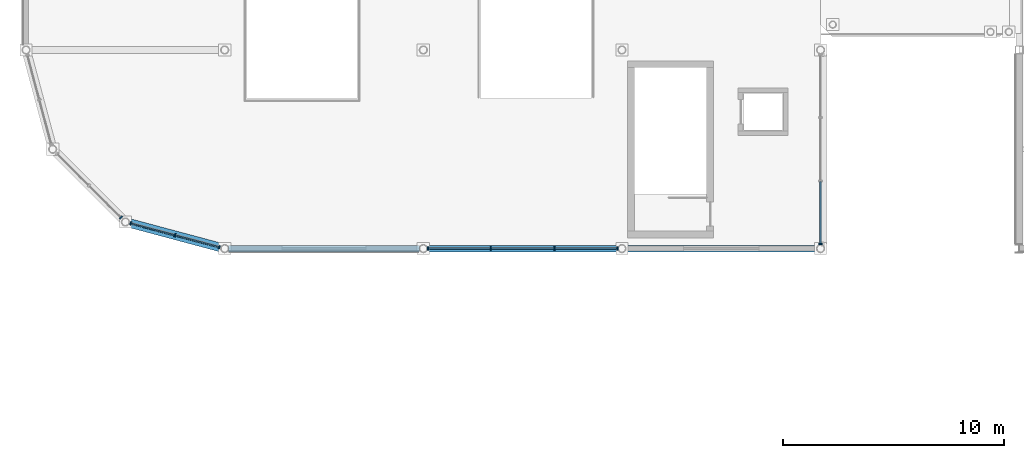
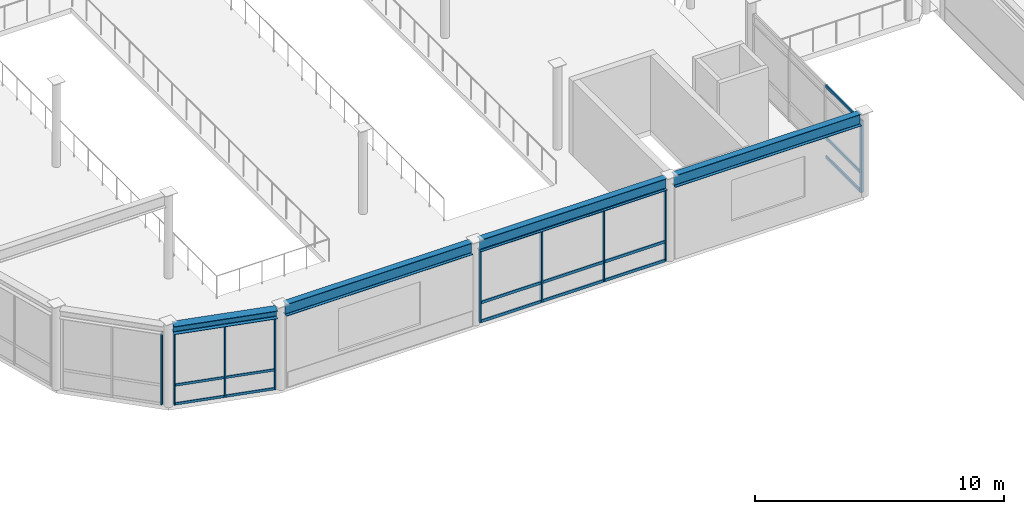
# One storey, part 15 of 53: 27 members, 4 beams, 4 elements without a shape of their own.
"""IFC4 building model written with IfcOpenShell, lengths in metres."""

from ifc_helpers import new_model, si_unit, direction, frame, origin, origin_2d, place, context, subcontext, project, spatial, rectangle, i_section, extrude, material, material_profile, profile_set, type_object, element, aggregate, save


model = new_model("IFC4")

# Units and contexts
model_context = context("Model", 3, precision=1e-05, world=origin(), true_north=direction((0.0, 1.0)))
body_context = subcontext(model_context, "Body", "Model", "MODEL_VIEW")
ifc_project = project(units=[si_unit("LENGTHUNIT", "METRE"), si_unit("AREAUNIT", "SQUARE_METRE"), si_unit("VOLUMEUNIT", "CUBIC_METRE"), si_unit("PLANEANGLEUNIT", "RADIAN"), si_unit("MASSUNIT", "GRAM", prefix="KILO")], contexts=[model_context])

# Site, building, storey
site_placement = place(None, origin())
site = spatial("IfcSite", under=ifc_project, at=site_placement, CompositionType="ELEMENT")
building_placement = place(site_placement, origin())
building = spatial("IfcBuilding", under=site, at=building_placement, Name="Suzunagisa Mobility Hub", CompositionType="ELEMENT")
storey_placement = place(building_placement, frame((0.0, 0.0, 17.699951171875)))
storey = spatial("IfcBuildingStorey", under=building, at=storey_placement, Name="L04", CompositionType="ELEMENT", Elevation=17.699951171875)

# Curtain wall, members
ifc_material_1 = material(Name="Thermally Broken Anodized Aluminum and Low-E Glazing", Category="aluminium")
curtain_wall_type_1 = type_object("IfcCurtainWallType", Name="Unitised Curtain Wall CW-15 8750x3500", PredefinedType="USERDEFINED", material=ifc_material_1)
curtain_wall_1_placement = place(storey_placement, origin())
curtain_wall_1 = element("IfcCurtainWall", 1, at=curtain_wall_1_placement, inside=storey, type_object=curtain_wall_type_1, Name="L04 Unitised Curtain Wall CW-83", ObjectType="UNITISED CURTAIN WALL", PredefinedType="USERDEFINED")
ifc_material_2 = material(Name="Anodized Aluminum 6063-T6", Category="aluminium")
ifc_material_profile_1 = material_profile(ifc_material_2, rectangle(XDim=0.06494140625, YDim=0.139892578125, at=origin_2d()), Name="TRAN-65x140")
ifc_profile_set_1 = profile_set([ifc_material_profile_1], Name="Anodized Aluminum 6063-T6")
member_type_1 = type_object("IfcMemberType", Name="Curtain Wall Framing CM-01 TRAN-65x140", PredefinedType="USERDEFINED", material=ifc_profile_set_1)
member_1_placement = place(storey_placement, frame((18.23583984375, 80.0, 0.032470703125), z_axis=(1.0, 0.0, 0.0), x_axis=(0.0, 1.0, 0.0)))
member_1 = element("IfcMember", 2, at=member_1_placement, type_object=member_type_1, Name="Curtain Wall Transom 83-T1.1", ObjectType="TRANSOM", PredefinedType="USERDEFINED", context=body_context, shape_type="SweptSolid", body=[
    extrude(rectangle(XDim=0.06494140625, YDim=0.139892578125, at=origin_2d()), origin(), (0.0, 0.0, 1.0), 2.79541015625),
])
member_2_placement = place(storey_placement, frame((18.23583984375, 80.0, 0.949951171875), z_axis=(1.0, 0.0, 0.0), x_axis=(0.0, 1.0, 0.0)))
member_2 = element("IfcMember", 3, at=member_2_placement, type_object=member_type_1, Name="Curtain Wall Transom 83-T1.2", ObjectType="TRANSOM", PredefinedType="USERDEFINED", context=body_context, shape_type="SweptSolid", body=[
    extrude(rectangle(XDim=0.06494140625, YDim=0.139892578125, at=origin_2d()), origin(), (0.0, 0.0, 1.0), 2.79541015625),
])
member_3_placement = place(storey_placement, frame((18.23583984375, 80.0, 3.49365234375), z_axis=(1.0, 0.0, 0.0), x_axis=(0.0, 1.0, 0.0)))
member_3 = element("IfcMember", 4, at=member_3_placement, type_object=member_type_1, Name="Curtain Wall Transom 83-T1.3", ObjectType="TRANSOM", PredefinedType="USERDEFINED", context=body_context, shape_type="SweptSolid", body=[
    extrude(rectangle(XDim=0.06494140625, YDim=0.139892578125, at=origin_2d()), origin(), (0.0, 0.0, 1.0), 2.79541015625),
])
member_4_placement = place(storey_placement, frame((21.08740234375, 80.0, 0.032470703125), z_axis=(1.0, 0.0, 0.0), x_axis=(0.0, 1.0, 0.0)))
member_4 = element("IfcMember", 5, at=member_4_placement, type_object=member_type_1, Name="Curtain Wall Transom 83-T2.1", ObjectType="TRANSOM", PredefinedType="USERDEFINED", context=body_context, shape_type="SweptSolid", body=[
    extrude(rectangle(XDim=0.06494140625, YDim=0.139892578125, at=origin_2d()), origin(), (0.0, 0.0, 1.0), 2.8251953125),
])
member_5_placement = place(storey_placement, frame((21.08740234375, 80.0, 0.949951171875), z_axis=(1.0, 0.0, 0.0), x_axis=(0.0, 1.0, 0.0)))
member_5 = element("IfcMember", 6, at=member_5_placement, type_object=member_type_1, Name="Curtain Wall Transom 83-T2.2", ObjectType="TRANSOM", PredefinedType="USERDEFINED", context=body_context, shape_type="SweptSolid", body=[
    extrude(rectangle(XDim=0.06494140625, YDim=0.139892578125, at=origin_2d()), origin(), (0.0, 0.0, 1.0), 2.8251953125),
])
member_6_placement = place(storey_placement, frame((21.08740234375, 80.0, 3.49365234375), z_axis=(1.0, 0.0, 0.0), x_axis=(0.0, 1.0, 0.0)))
member_6 = element("IfcMember", 7, at=member_6_placement, type_object=member_type_1, Name="Curtain Wall Transom 83-T2.3", ObjectType="TRANSOM", PredefinedType="USERDEFINED", context=body_context, shape_type="SweptSolid", body=[
    extrude(rectangle(XDim=0.06494140625, YDim=0.139892578125, at=origin_2d()), origin(), (0.0, 0.0, 1.0), 2.8251953125),
])
member_7_placement = place(storey_placement, frame((23.96875, 80.0, 0.032470703125), z_axis=(1.0, 0.0, 0.0), x_axis=(0.0, 1.0, 0.0)))
member_7 = element("IfcMember", 8, at=member_7_placement, type_object=member_type_1, Name="Curtain Wall Transom 83-T3.1", ObjectType="TRANSOM", PredefinedType="USERDEFINED", context=body_context, shape_type="SweptSolid", body=[
    extrude(rectangle(XDim=0.06494140625, YDim=0.139892578125, at=origin_2d()), origin(), (0.0, 0.0, 1.0), 2.79541015625),
])
member_8_placement = place(storey_placement, frame((23.96875, 80.0, 0.949951171875), z_axis=(1.0, 0.0, 0.0), x_axis=(0.0, 1.0, 0.0)))
member_8 = element("IfcMember", 9, at=member_8_placement, type_object=member_type_1, Name="Curtain Wall Transom 83-T3.2", ObjectType="TRANSOM", PredefinedType="USERDEFINED", context=body_context, shape_type="SweptSolid", body=[
    extrude(rectangle(XDim=0.06494140625, YDim=0.139892578125, at=origin_2d()), origin(), (0.0, 0.0, 1.0), 2.79541015625),
])
member_9_placement = place(storey_placement, frame((23.96875, 80.0, 3.49365234375), z_axis=(1.0, 0.0, 0.0), x_axis=(0.0, 1.0, 0.0)))
member_9 = element("IfcMember", 10, at=member_9_placement, type_object=member_type_1, Name="Curtain Wall Transom 83-T3.3", ObjectType="TRANSOM", PredefinedType="USERDEFINED", context=body_context, shape_type="SweptSolid", body=[
    extrude(rectangle(XDim=0.06494140625, YDim=0.139892578125, at=origin_2d()), origin(), (0.0, 0.0, 1.0), 2.79541015625),
])

curtain_wall_2_placement = place(storey_placement, origin())
curtain_wall_2 = element("IfcCurtainWall", 11, at=curtain_wall_2_placement, inside=storey, type_object=curtain_wall_type_1, Name="L04 Unitised Curtain Wall CW-84", ObjectType="UNITISED CURTAIN WALL", PredefinedType="USERDEFINED")
member_10_placement = place(storey_placement, frame((36.0, 80.23583984375, 0.032470703125), z_axis=(0.0, 1.0, 0.0), x_axis=(-1.0, 0.0, 0.0)))
member_10 = element("IfcMember", 12, at=member_10_placement, type_object=member_type_1, Name="Curtain Wall Transom 84-T1.1", ObjectType="TRANSOM", PredefinedType="USERDEFINED", context=body_context, shape_type="SweptSolid", body=[
    extrude(rectangle(XDim=0.06494140625, YDim=0.139892578125, at=origin_2d()), origin(), (0.0, 0.0, 1.0), 2.79541015625),
])
member_11_placement = place(storey_placement, frame((36.0, 80.23583984375, 0.949951171875), z_axis=(0.0, 1.0, 0.0), x_axis=(-1.0, 0.0, 0.0)))
member_11 = element("IfcMember", 13, at=member_11_placement, type_object=member_type_1, Name="Curtain Wall Transom 84-T1.2", ObjectType="TRANSOM", PredefinedType="USERDEFINED", context=body_context, shape_type="SweptSolid", body=[
    extrude(rectangle(XDim=0.06494140625, YDim=0.139892578125, at=origin_2d()), origin(), (0.0, 0.0, 1.0), 2.79541015625),
])
member_12_placement = place(storey_placement, frame((36.0, 80.23583984375, 3.49365234375), z_axis=(0.0, 1.0, 0.0), x_axis=(-1.0, 0.0, 0.0)))
member_12 = element("IfcMember", 14, at=member_12_placement, type_object=member_type_1, Name="Curtain Wall Transom 84-T1.3", ObjectType="TRANSOM", PredefinedType="USERDEFINED", context=body_context, shape_type="SweptSolid", body=[
    extrude(rectangle(XDim=0.06494140625, YDim=0.139892578125, at=origin_2d()), origin(), (0.0, 0.0, 1.0), 2.79541015625),
])

curtain_wall_type_2 = type_object("IfcCurtainWallType", Name="Unitised Curtain Wall CW-24 4250x3500", PredefinedType="USERDEFINED", material=ifc_material_1)
curtain_wall_3_placement = place(storey_placement, origin())
curtain_wall_3 = element("IfcCurtainWall", 15, at=curtain_wall_3_placement, inside=storey, type_object=curtain_wall_type_2, Name="L04 Unitised Curtain Wall CW-82", ObjectType="UNITISED CURTAIN WALL", PredefinedType="USERDEFINED")
ifc_material_profile_2 = material_profile(ifc_material_2, rectangle(XDim=0.06005859375, YDim=0.1201171875, at=origin_2d()), Name="TRAN-60x120")
ifc_profile_set_2 = profile_set([ifc_material_profile_2], Name="Anodized Aluminum 6063-T6")
member_type_2 = type_object("IfcMemberType", Name="Curtain Wall Framing CM-02 TRAN-60x120", PredefinedType="USERDEFINED", material=ifc_profile_set_2)
member_13_placement = place(storey_placement, frame((4.766357421875, 81.134521484375, 0.030029296875), z_axis=(0.965906081949, -0.258892720742, 0.0), x_axis=(0.258892720742, 0.965906081949, 0.0)))
member_13 = element("IfcMember", 16, at=member_13_placement, type_object=member_type_2, Name="Curtain Wall Transom 82-T1.1", ObjectType="TRANSOM", PredefinedType="USERDEFINED", context=body_context, shape_type="SweptSolid", body=[
    extrude(rectangle(XDim=0.06005859375, YDim=0.1201171875, at=origin_2d()), origin(), (0.0, 0.0, 1.0), 2.025634765625),
])
member_14_placement = place(storey_placement, frame((4.766357421875, 81.134521484375, 0.949951171875), z_axis=(0.965906081949, -0.258892720742, 0.0), x_axis=(0.258892720742, 0.965906081949, 0.0)))
member_14 = element("IfcMember", 17, at=member_14_placement, type_object=member_type_2, Name="Curtain Wall Transom 82-T1.2", ObjectType="TRANSOM", PredefinedType="USERDEFINED", context=body_context, shape_type="SweptSolid", body=[
    extrude(rectangle(XDim=0.06005859375, YDim=0.1201171875, at=origin_2d()), origin(), (0.0, 0.0, 1.0), 2.025634765625),
])
member_15_placement = place(storey_placement, frame((4.766357421875, 81.134521484375, 3.510009765625), z_axis=(0.965906081949, -0.258892720742, 0.0), x_axis=(0.258892720742, 0.965906081949, 0.0)))
member_15 = element("IfcMember", 18, at=member_15_placement, type_object=member_type_2, Name="Curtain Wall Transom 82-T1.3", ObjectType="TRANSOM", PredefinedType="USERDEFINED", context=body_context, shape_type="SweptSolid", body=[
    extrude(rectangle(XDim=0.06005859375, YDim=0.1201171875, at=origin_2d()), origin(), (0.0, 0.0, 1.0), 2.025634765625),
])
member_16_placement = place(storey_placement, frame((6.777099609375, 80.595703125, 0.030029296875), z_axis=(0.965906081949, -0.258892720742, 0.0), x_axis=(0.258892720742, 0.965906081949, 0.0)))
member_16 = element("IfcMember", 19, at=member_16_placement, type_object=member_type_2, Name="Curtain Wall Transom 82-T2.1", ObjectType="TRANSOM", PredefinedType="USERDEFINED", context=body_context, shape_type="SweptSolid", body=[
    extrude(rectangle(XDim=0.06005859375, YDim=0.1201171875, at=origin_2d()), origin(), (0.0, 0.0, 1.0), 2.025634765625),
])
member_17_placement = place(storey_placement, frame((6.777099609375, 80.595703125, 0.949951171875), z_axis=(0.965906081949, -0.258892720742, 0.0), x_axis=(0.258892720742, 0.965906081949, 0.0)))
member_17 = element("IfcMember", 20, at=member_17_placement, type_object=member_type_2, Name="Curtain Wall Transom 82-T2.2", ObjectType="TRANSOM", PredefinedType="USERDEFINED", context=body_context, shape_type="SweptSolid", body=[
    extrude(rectangle(XDim=0.06005859375, YDim=0.1201171875, at=origin_2d()), origin(), (0.0, 0.0, 1.0), 2.025634765625),
])
member_18_placement = place(storey_placement, frame((6.777099609375, 80.595703125, 3.510009765625), z_axis=(0.965906081949, -0.258892720742, 0.0), x_axis=(0.258892720742, 0.965906081949, 0.0)))
member_18 = element("IfcMember", 21, at=member_18_placement, type_object=member_type_2, Name="Curtain Wall Transom 82-T2.3", ObjectType="TRANSOM", PredefinedType="USERDEFINED", context=body_context, shape_type="SweptSolid", body=[
    extrude(rectangle(XDim=0.06005859375, YDim=0.1201171875, at=origin_2d()), origin(), (0.0, 0.0, 1.0), 2.025634765625),
])

# Curtain wall, member
curtain_wall_4_placement = place(storey_placement, origin())
curtain_wall_4 = element("IfcCurtainWall", 22, at=curtain_wall_4_placement, inside=storey, type_object=curtain_wall_type_2, Name="L04 Unitised Curtain Wall CW-81", ObjectType="UNITISED CURTAIN WALL", PredefinedType="USERDEFINED")
ifc_material_profile_3 = material_profile(ifc_material_2, rectangle(XDim=0.06005859375, YDim=0.14990234375, at=origin_2d()), Name="MULL-60x150")
ifc_profile_set_3 = profile_set([ifc_material_profile_3], Name="Anodized Aluminum 6063-T6")
member_type_3 = type_object("IfcMemberType", Name="Curtain Wall Framing CM-03 MULL-60x150", PredefinedType="MULLION", material=ifc_profile_set_3)
member_19_placement = place(storey_placement, frame((4.301025390625, 81.40478515625, 0.0), z_axis=(0.0, 0.0, 1.0), x_axis=(0.707106781187, -0.707106781187, 0.0)))
member_19 = element("IfcMember", 23, at=member_19_placement, type_object=member_type_3, Name="Curtain Wall Mullion 81-M3", PredefinedType="MULLION", context=body_context, shape_type="SweptSolid", body=[
    extrude(rectangle(XDim=0.06005859375, YDim=0.14990234375, at=origin_2d()), origin(), (0.0, 0.0, 1.0), 3.5400390625),
])
aggregate(curtain_wall_4, [member_19])

# Member
member_20_placement = place(storey_placement, frame((4.7392578125, 81.1416015625, 0.0), z_axis=(0.0, 0.0, 1.0), x_axis=(0.965930084429, -0.258803152984, 0.0)))
member_20 = element("IfcMember", 24, at=member_20_placement, type_object=member_type_3, Name="Curtain Wall Mullion 82-M1", PredefinedType="MULLION", context=body_context, shape_type="SweptSolid", body=[
    extrude(rectangle(XDim=0.06005859375, YDim=0.14990234375, at=origin_2d()), origin(), (0.0, 0.0, 1.0), 3.5400390625),
])

member_21_placement = place(storey_placement, frame((6.75, 80.602783203125, 0.0), z_axis=(0.0, 0.0, 1.0), x_axis=(0.965930084429, -0.258803152984, 0.0)))
member_21 = element("IfcMember", 25, at=member_21_placement, type_object=member_type_3, Name="Curtain Wall Mullion 82-M2", PredefinedType="MULLION", context=body_context, shape_type="SweptSolid", body=[
    extrude(rectangle(XDim=0.06005859375, YDim=0.14990234375, at=origin_2d()), origin(), (0.0, 0.0, 1.0), 3.5400390625),
])

member_22_placement = place(storey_placement, frame((8.7607421875, 80.064208984375, 0.0), z_axis=(0.0, 0.0, 1.0), x_axis=(0.965930084429, -0.258803152984, 0.0)))
member_22 = element("IfcMember", 26, at=member_22_placement, type_object=member_type_3, Name="Curtain Wall Mullion 82-M3", PredefinedType="MULLION", context=body_context, shape_type="SweptSolid", body=[
    extrude(rectangle(XDim=0.06005859375, YDim=0.14990234375, at=origin_2d()), origin(), (0.0, 0.0, 1.0), 3.5400390625),
])

aggregate(curtain_wall_3, [member_20, member_21, member_22, member_13, member_14, member_15, member_16, member_17, member_18])

member_23_placement = place(storey_placement, frame((18.207763671875, 80.0, 0.0), z_axis=(0.0, 0.0, 1.0), x_axis=(1.0, 0.0, 0.0)))
member_23 = element("IfcMember", 27, at=member_23_placement, type_object=member_type_3, Name="Curtain Wall Mullion 83-M1", PredefinedType="MULLION", context=body_context, shape_type="SweptSolid", body=[
    extrude(rectangle(XDim=0.06005859375, YDim=0.14990234375, at=origin_2d()), origin(), (0.0, 0.0, 1.0), 3.526123046875),
])

member_24_placement = place(storey_placement, frame((21.059326171875, 80.0, 0.0), z_axis=(0.0, 0.0, 1.0), x_axis=(1.0, 0.0, 0.0)))
member_24 = element("IfcMember", 28, at=member_24_placement, type_object=member_type_3, Name="Curtain Wall Mullion 83-M2", PredefinedType="MULLION", context=body_context, shape_type="SweptSolid", body=[
    extrude(rectangle(XDim=0.06005859375, YDim=0.14990234375, at=origin_2d()), origin(), (0.0, 0.0, 1.0), 3.526123046875),
])

member_25_placement = place(storey_placement, frame((23.940673828125, 80.0, 0.0), z_axis=(0.0, 0.0, 1.0), x_axis=(1.0, 0.0, 0.0)))
member_25 = element("IfcMember", 29, at=member_25_placement, type_object=member_type_3, Name="Curtain Wall Mullion 83-M3", PredefinedType="MULLION", context=body_context, shape_type="SweptSolid", body=[
    extrude(rectangle(XDim=0.06005859375, YDim=0.14990234375, at=origin_2d()), origin(), (0.0, 0.0, 1.0), 3.526123046875),
])

member_26_placement = place(storey_placement, frame((26.792236328125, 80.0, 0.0), z_axis=(0.0, 0.0, 1.0), x_axis=(1.0, 0.0, 0.0)))
member_26 = element("IfcMember", 30, at=member_26_placement, type_object=member_type_3, Name="Curtain Wall Mullion 83-M4", PredefinedType="MULLION", context=body_context, shape_type="SweptSolid", body=[
    extrude(rectangle(XDim=0.06005859375, YDim=0.14990234375, at=origin_2d()), origin(), (0.0, 0.0, 1.0), 3.526123046875),
])

aggregate(curtain_wall_1, [member_23, member_24, member_25, member_26, member_1, member_2, member_3, member_4, member_5, member_6, member_7, member_8, member_9])

member_27_placement = place(storey_placement, frame((36.0, 80.207763671875, 0.0), z_axis=(0.0, 0.0, 1.0), x_axis=(0.0, 1.0, 0.0)))
member_27 = element("IfcMember", 31, at=member_27_placement, type_object=member_type_3, Name="Curtain Wall Mullion 84-M1", PredefinedType="MULLION", context=body_context, shape_type="SweptSolid", body=[
    extrude(rectangle(XDim=0.06005859375, YDim=0.14990234375, at=origin_2d()), origin(), (0.0, 0.0, 1.0), 3.526123046875),
])

aggregate(curtain_wall_2, [member_27, member_10, member_11, member_12])

# Beams
ifc_material_3 = material(Name="Steel SN490B", Category="steel")
ifc_material_profile_4 = material_profile(ifc_material_3, i_section(OverallWidth=0.39990234375, OverallDepth=0.39990234375, WebThickness=0.012939453125, FlangeThickness=0.02099609375, FilletRadius=0.01611328125, at=origin_2d()), Name="H-400x400x13x21")
ifc_profile_set_4 = profile_set([ifc_material_profile_4], Name="Steel SN490B")
beam_type_1 = type_object("IfcBeamType", Name="Steel Beam BM-12 H-400x400x13x21", PredefinedType="SPANDREL", material=ifc_profile_set_4)
beam_placement = place(storey_placement, frame((4.671630859375, 81.159912109375, 3.739990234375), z_axis=(0.965913102345, -0.258866526841, 0.0), x_axis=(0.258866526841, 0.965913102345, 0.0)))
element("IfcBeam", 32, at=beam_placement, inside=storey, type_object=beam_type_1, Name="L04 Ramp Drum Corner Prow Spandrel 2265", PredefinedType="SPANDREL", context=body_context, shape_type="SweptSolid", body=[
    extrude(i_section(OverallWidth=0.39990234375, OverallDepth=0.39990234375, WebThickness=0.012939453125, FlangeThickness=0.02099609375, FilletRadius=0.01611328125, at=origin_2d()), origin(), (0.0, 0.0, 1.0), 4.303466796875),
])
ifc_material_profile_5 = material_profile(ifc_material_3, i_section(OverallWidth=0.300048828125, OverallDepth=0.587890625, WebThickness=0.011962890625, FlangeThickness=0.02001953125, FilletRadius=0.012939453125, at=origin_2d()), Name="H-588x300x12x20")
ifc_profile_set_5 = profile_set([ifc_material_profile_5], Name="Steel SN490B")
beam_type_2 = type_object("IfcBeamType", Name="Steel Beam BM-16 H-588x300x12x20", PredefinedType="BEAM", material=ifc_profile_set_5)
for number, where, z_axis, x_axis, name in (
    (33, (9.179931640625, 80.0, 3.820068359375), (1.0, 0.0, 0.0), (0.0, 1.0, 0.0), "L04 Ramp Drum Eave Girder 2247"),
    (34, (18.179931640625, 80.0, 3.820068359375), (1.0, 0.0, 0.0), (0.0, 1.0, 0.0), "L04 Ramp Drum Eave Girder 2248"),
    (35, (27.179931640625, 80.0, 3.820068359375), (1.0, 0.0, 0.0), (0.0, 1.0, 0.0), "L04 Ramp Drum Eave Girder 2249"),
):
    element("IfcBeam", number, at=place(storey_placement, frame(where, z_axis=z_axis, x_axis=x_axis)), inside=storey, type_object=beam_type_2, Name=name, PredefinedType="BEAM", context=body_context, shape_type="SweptSolid", body=[
        extrude(i_section(OverallWidth=0.300048828125, OverallDepth=0.587890625, WebThickness=0.011962890625, FlangeThickness=0.02001953125, FilletRadius=0.012939453125, at=origin_2d()), origin(), (0.0, 0.0, 1.0), 8.64013671875),
    ])

save(model, "model.ifc")
